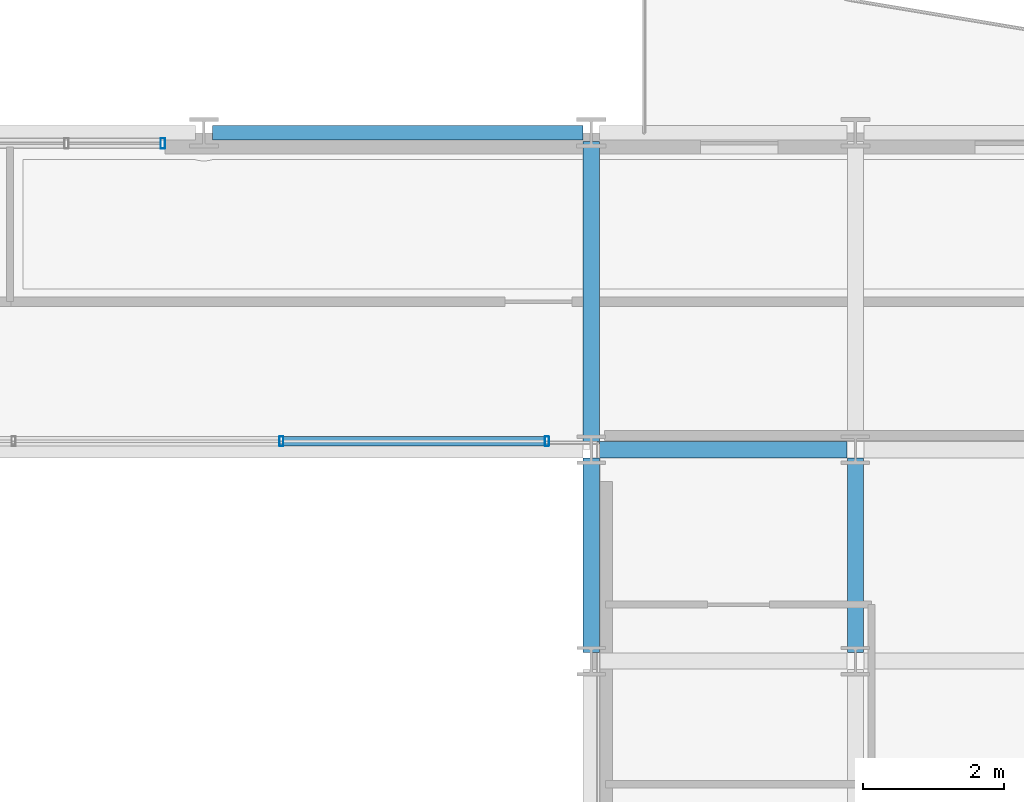
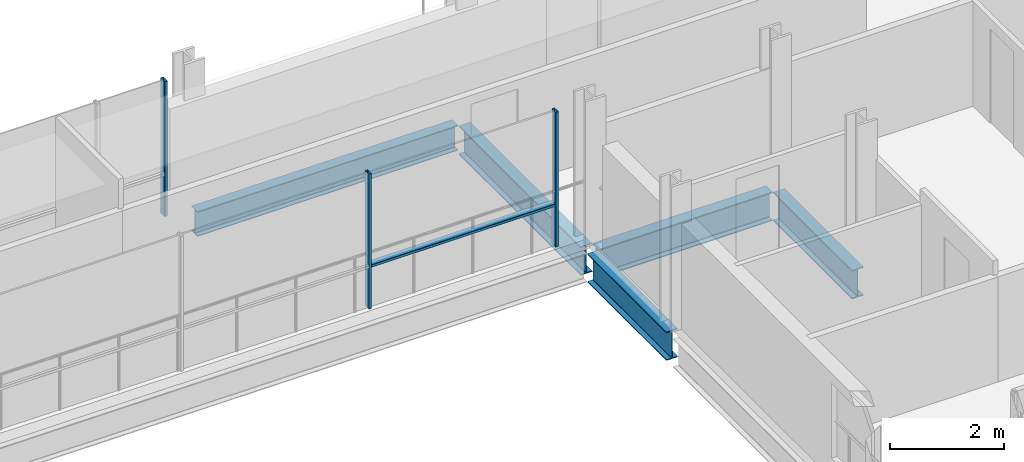
# One storey, part 17 of 39: 5 beams, 4 members, 2 elements without a shape of their own.
"""IFC4 building model written with IfcOpenShell, lengths in metres."""

from ifc_helpers import new_model, si_unit, direction, frame, origin, origin_2d, place, context, subcontext, project, spatial, hollow_rectangle, i_section, extrude, material, layer, layer_set, material_profile, profile_set, type_object, element, aggregate, save


model = new_model("IFC4")

# Units and contexts
model_context = context("Model", 3, precision=1e-05, world=origin(), true_north=direction((0.0, 1.0)))
body_context = subcontext(model_context, "Body", "Model", "MODEL_VIEW")
ifc_project = project(units=[si_unit("LENGTHUNIT", "METRE"), si_unit("AREAUNIT", "SQUARE_METRE"), si_unit("VOLUMEUNIT", "CUBIC_METRE"), si_unit("PLANEANGLEUNIT", "RADIAN"), si_unit("MASSUNIT", "GRAM", prefix="KILO")], contexts=[model_context])

# Site, building, storey
site_placement = place(None, origin())
site = spatial("IfcSite", under=ifc_project, at=site_placement, CompositionType="ELEMENT")
building_placement = place(site_placement, origin())
building = spatial("IfcBuilding", under=site, at=building_placement, Name="Brevholm Reach", CompositionType="ELEMENT")
storey_placement = place(building_placement, frame((0.0, 0.0, 103.5)))
storey = spatial("IfcBuildingStorey", under=building, at=storey_placement, Name="L30", CompositionType="ELEMENT", Elevation=103.5)

# Beams
ifc_material_1 = material(Name="Structural Steel S355J2", Category="steel")
ifc_material_profile_1 = material_profile(ifc_material_1, i_section(OverallWidth=0.209228515625, OverallDepth=0.533203125, WebThickness=0.010009765625, FlangeThickness=0.015625, FilletRadius=0.0126953125, at=origin_2d()), Name="UKB 533x210x92")
ifc_profile_set_1 = profile_set([ifc_material_profile_1], Name="Structural Steel S355J2")
beam_type_1 = type_object("IfcBeamType", Name="BM-SP533", PredefinedType="SPANDREL", material=ifc_profile_set_1)
beam_1_placement = place(storey_placement, frame((32.8701171875, 31.0, -0.486572265625), z_axis=(1.0, 0.0, 0.0), x_axis=(0.0, 1.0, 0.0)))
element("IfcBeam", 1, at=beam_1_placement, inside=storey, type_object=beam_type_1, Name="L30 SP-02 Framing Beam", PredefinedType="SPANDREL", context=body_context, shape_type="SweptSolid", body=[
    extrude(i_section(OverallWidth=0.209228515625, OverallDepth=0.533203125, WebThickness=0.010009765625, FlangeThickness=0.015625, FilletRadius=0.0126953125, at=origin_2d()), origin(), (0.0, 0.0, 1.0), 5.259765625),
])
ifc_material_2 = material(Name="Structural Steel S355J2", Category="steel")
ifc_material_profile_2 = material_profile(ifc_material_2, i_section(OverallWidth=0.22900390625, OverallDepth=0.6123046875, WebThickness=0.011962890625, FlangeThickness=0.01953125, FilletRadius=0.0126953125, at=origin_2d()), Name="UKB 610x229x125")
ifc_profile_set_2 = profile_set([ifc_material_profile_2], Name="Structural Steel S355J2")
beam_type_2 = type_object("IfcBeamType", Name="BM-SP610", PredefinedType="SPANDREL", material=ifc_profile_set_2)
beam_2_placement = place(storey_placement, frame((38.3701171875, 26.5, -0.526123046875), z_axis=(1.0, 0.0, 0.0), x_axis=(0.0, 1.0, 0.0)))
element("IfcBeam", 2, at=beam_2_placement, inside=storey, type_object=beam_type_2, Name="L30 SP-01 Framing Beam", PredefinedType="SPANDREL", context=body_context, shape_type="SweptSolid", body=[
    extrude(i_section(OverallWidth=0.22900390625, OverallDepth=0.6123046875, WebThickness=0.011962890625, FlangeThickness=0.01953125, FilletRadius=0.0126953125, at=origin_2d()), origin(), (0.0, 0.0, 1.0), 3.509765625),
])
beam_3_placement = place(storey_placement, frame((38.25, 23.6201171875, -0.526123046875), z_axis=(0.0, 1.0, 0.0), x_axis=(-1.0, 0.0, 0.0)))
element("IfcBeam", 3, at=beam_3_placement, inside=storey, type_object=beam_type_2, Name="L30 SP-01 Framing Beam", PredefinedType="SPANDREL", context=body_context, shape_type="SweptSolid", body=[
    extrude(i_section(OverallWidth=0.22900390625, OverallDepth=0.6123046875, WebThickness=0.011962890625, FlangeThickness=0.01953125, FilletRadius=0.0126953125, at=origin_2d()), origin(), (0.0, 0.0, 1.0), 2.759765625),
])
beam_4_placement = place(storey_placement, frame((38.25, 26.6201171875, -0.526123046875), z_axis=(0.0, 1.0, 0.0), x_axis=(-1.0, 0.0, 0.0)))
element("IfcBeam", 4, at=beam_4_placement, inside=storey, type_object=beam_type_2, Name="L30 SP-01 Framing Beam", PredefinedType="SPANDREL", context=body_context, shape_type="SweptSolid", body=[
    extrude(i_section(OverallWidth=0.22900390625, OverallDepth=0.6123046875, WebThickness=0.011962890625, FlangeThickness=0.01953125, FilletRadius=0.0126953125, at=origin_2d()), origin(), (0.0, 0.0, 1.0), 4.259765625),
])
beam_5_placement = place(storey_placement, frame((42.0, 23.6201171875, -0.526123046875), z_axis=(0.0, 1.0, 0.0), x_axis=(-1.0, 0.0, 0.0)))
element("IfcBeam", 5, at=beam_5_placement, inside=storey, type_object=beam_type_2, Name="L30 SP-01 Framing Beam", PredefinedType="SPANDREL", context=body_context, shape_type="SweptSolid", body=[
    extrude(i_section(OverallWidth=0.22900390625, OverallDepth=0.6123046875, WebThickness=0.011962890625, FlangeThickness=0.01953125, FilletRadius=0.0126953125, at=origin_2d()), origin(), (0.0, 0.0, 1.0), 2.759765625),
])

# Curtain wall, members
ifc_material_3 = material(Name="Dark Anodised Aluminium 6063-T6 and Solar-Control Glass", Category="aluminium")
ifc_layer_1 = layer(ifc_material_3, 0.139892578125)
ifc_layer_set_1 = layer_set([ifc_layer_1], Name="Dark Anodised Aluminium 6063-T6 and Solar-Control Glass")
curtain_wall_type_1 = type_object("IfcCurtainWallType", Name="CW-02", PredefinedType="NOTDEFINED", material=ifc_layer_set_1)
curtain_wall_1_placement = place(storey_placement, origin())
curtain_wall_1 = element("IfcCurtainWall", 6, at=curtain_wall_1_placement, inside=storey, type_object=curtain_wall_type_1, Name="L30 Curtain Wall CW-02", PredefinedType="NOTDEFINED")
ifc_material_4 = material(Name="Dark Anodised Aluminium 6063-T6", Category="aluminium")
ifc_material_profile_3 = material_profile(ifc_material_4, hollow_rectangle(XDim=0.06005859375, YDim=0.139892578125, WallThickness=0.0048828125, InnerFilletRadius=0.0048828125, OuterFilletRadius=0.010009765625, at=origin_2d()), Name="RHS 140x60x5")
ifc_profile_set_3 = profile_set([ifc_material_profile_3], Name="Dark Anodised Aluminium 6063-T6")
member_type_1 = type_object("IfcMemberType", Name="CWM-140", PredefinedType="MULLION", material=ifc_profile_set_3)
member_1_placement = place(storey_placement, frame((37.6201171875, 26.6201171875, 0.0), z_axis=(0.0, 0.0, 1.0), x_axis=(-1.0, 0.0, 0.0)))
member_1 = element("IfcMember", 7, at=member_1_placement, type_object=member_type_1, Name="CM-140 Mullion 1", PredefinedType="MULLION", context=body_context, shape_type="SweptSolid", body=[
    extrude(hollow_rectangle(XDim=0.06005859375, YDim=0.139892578125, WallThickness=0.0048828125, InnerFilletRadius=0.0048828125, OuterFilletRadius=0.010009765625, at=origin_2d()), origin(), (0.0, 0.0, 1.0), 2.8798828125),
])
member_2_placement = place(storey_placement, frame((33.85009765625, 26.6201171875, 0.0), z_axis=(0.0, 0.0, 1.0), x_axis=(-1.0, 0.0, 0.0)))
member_2 = element("IfcMember", 8, at=member_2_placement, type_object=member_type_1, Name="CM-140 Mullion 2", PredefinedType="MULLION", context=body_context, shape_type="SweptSolid", body=[
    extrude(hollow_rectangle(XDim=0.06005859375, YDim=0.139892578125, WallThickness=0.0048828125, InnerFilletRadius=0.0048828125, OuterFilletRadius=0.010009765625, at=origin_2d()), origin(), (0.0, 0.0, 1.0), 2.8798828125),
])

# Curtain wall, member
ifc_material_5 = material(Name="Dark Anodised Aluminium 6063-T6 and Solar-Control Glass", Category="aluminium")
ifc_layer_2 = layer(ifc_material_5, 0.14990234375)
ifc_layer_set_2 = layer_set([ifc_layer_2], Name="Dark Anodised Aluminium 6063-T6 and Solar-Control Glass")
curtain_wall_type_2 = type_object("IfcCurtainWallType", Name="CW-01", PredefinedType="NOTDEFINED", material=ifc_layer_set_2)
curtain_wall_2_placement = place(storey_placement, origin())
curtain_wall_2 = element("IfcCurtainWall", 9, at=curtain_wall_2_placement, inside=storey, type_object=curtain_wall_type_2, Name="L30 Curtain Wall CW-01", PredefinedType="NOTDEFINED")
ifc_material_6 = material(Name="Dark Anodised Aluminium 6063-T6", Category="aluminium")
ifc_material_profile_4 = material_profile(ifc_material_6, hollow_rectangle(XDim=0.06494140625, YDim=0.14990234375, WallThickness=0.0048828125, InnerFilletRadius=0.0048828125, OuterFilletRadius=0.010009765625, at=origin_2d()), Name="RHS 150x65x5")
ifc_profile_set_4 = profile_set([ifc_material_profile_4], Name="Dark Anodised Aluminium 6063-T6")
member_type_2 = type_object("IfcMemberType", Name="CWM-150", PredefinedType="MULLION", material=ifc_profile_set_4)
member_3_placement = place(storey_placement, frame((32.16748046875, 30.85009765625, 0.0), z_axis=(0.0, 0.0, 1.0), x_axis=(1.0, 0.0, 0.0)))
member_3 = element("IfcMember", 10, at=member_3_placement, type_object=member_type_2, Name="CM-150 Mullion 3", PredefinedType="MULLION", context=body_context, shape_type="SweptSolid", body=[
    extrude(hollow_rectangle(XDim=0.06494140625, YDim=0.14990234375, WallThickness=0.0048828125, InnerFilletRadius=0.0048828125, OuterFilletRadius=0.010009765625, at=origin_2d()), origin(), (0.0, 0.0, 1.0), 2.8798828125),
])
aggregate(curtain_wall_2, [member_3])

# Member
ifc_material_7 = material(Name="Dark Anodised Aluminium 6063-T6", Category="aluminium")
ifc_material_profile_5 = material_profile(ifc_material_7, hollow_rectangle(XDim=0.06005859375, YDim=0.139892578125, WallThickness=0.0048828125, InnerFilletRadius=0.0048828125, OuterFilletRadius=0.010009765625, at=origin_2d()), Name="RHS 140x60x5")
ifc_profile_set_5 = profile_set([ifc_material_profile_5], Name="Dark Anodised Aluminium 6063-T6")
member_type_3 = type_object("IfcMemberType", Name="CWT-140", PredefinedType="NOTDEFINED", material=ifc_profile_set_5)
member_4_placement = place(storey_placement, frame((37.590087890625, 26.6201171875, 0.89990234375), z_axis=(-1.0, 0.0, 0.0), x_axis=(0.0, 0.0, 1.0)))
member_4 = element("IfcMember", 11, at=member_4_placement, type_object=member_type_3, Name="CT-140 Transom 1.1", ObjectType="TRANSOM", PredefinedType="USERDEFINED", context=body_context, shape_type="SweptSolid", body=[
    extrude(hollow_rectangle(XDim=0.06005859375, YDim=0.139892578125, WallThickness=0.0048828125, InnerFilletRadius=0.0048828125, OuterFilletRadius=0.010009765625, at=origin_2d()), origin(), (0.0, 0.0, 1.0), 3.710205078125),
])

aggregate(curtain_wall_1, [member_1, member_2, member_4])

save(model, "model.ifc")
